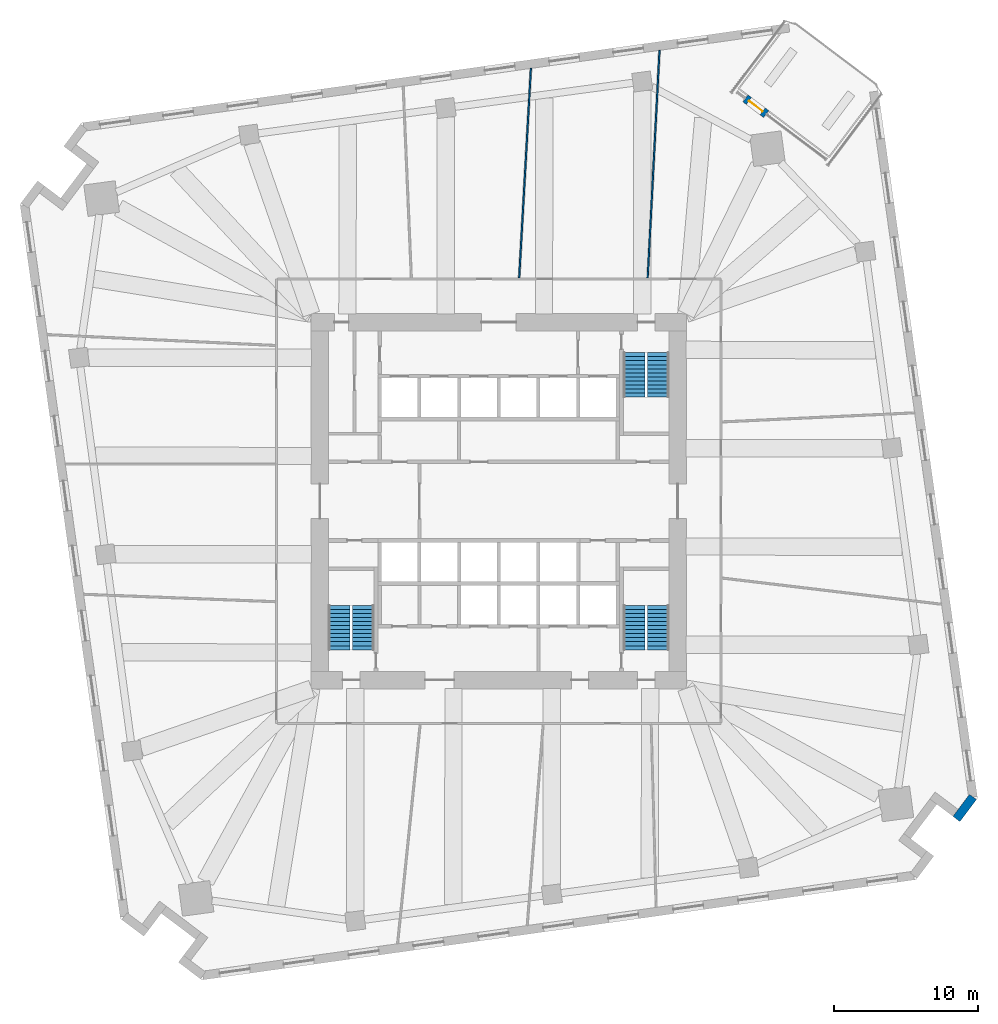
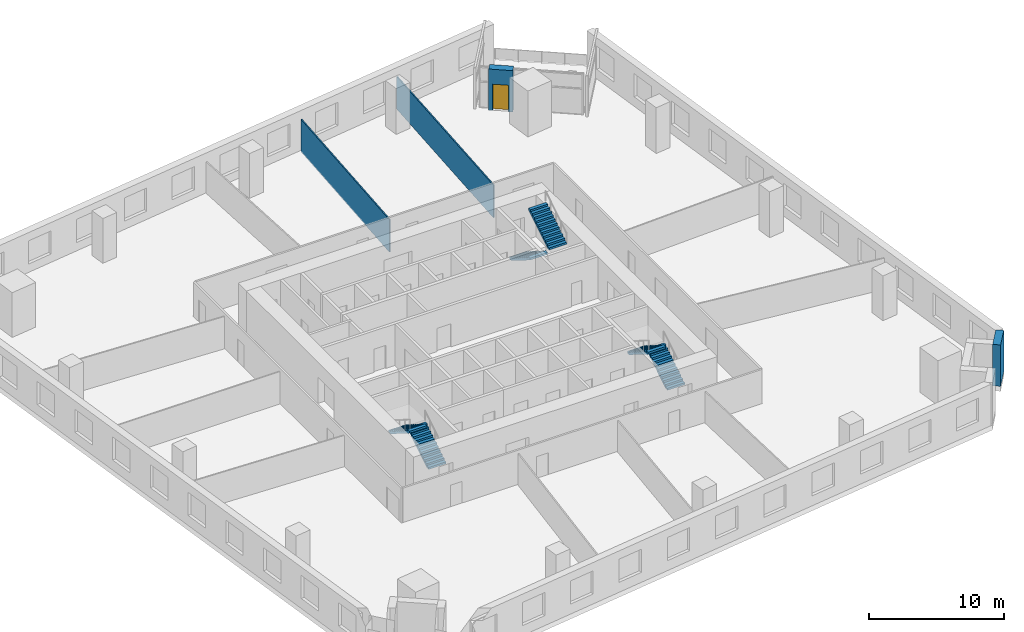
# One storey, part 10 of 12: 6 stair flights, 4 walls, 1 door, 1 opening, 3 elements without a shape of their own.
"""IFC4 building model written with IfcOpenShell, lengths in metres."""

from ifc_helpers import new_model, si_unit, direction, frame, frame_2d, origin, place, context, subcontext, project, spatial, polyline, rectangle, outline, extrude, material, layer, layer_set, type_object, element, fill, aggregate, save


model = new_model("IFC4")

# Units and contexts
model_context = context("Model", 3, precision=1e-05, world=origin(), true_north=direction((0.0, 1.0)))
body_context = subcontext(model_context, "Body", "Model", "MODEL_VIEW")
ifc_project = project(units=[si_unit("LENGTHUNIT", "METRE"), si_unit("AREAUNIT", "SQUARE_METRE"), si_unit("VOLUMEUNIT", "CUBIC_METRE"), si_unit("PLANEANGLEUNIT", "RADIAN"), si_unit("MASSUNIT", "GRAM", prefix="KILO")], contexts=[model_context])

# Site, building, storey
site_placement = place(None, origin())
site = spatial("IfcSite", under=ifc_project, at=site_placement, CompositionType="ELEMENT")
building_placement = place(site_placement, origin())
building = spatial("IfcBuilding", under=site, at=building_placement, Name="Dilmun Exchange Tower", CompositionType="ELEMENT")
storey_placement = place(building_placement, frame((0.0, 0.0, 51.300048828125)))
storey = spatial("IfcBuildingStorey", under=building, at=storey_placement, Name="L11", CompositionType="ELEMENT", Elevation=51.300048828125)

# Walls
ifc_material_1 = material(Name="Partition 100")
ifc_layer_1 = layer(ifc_material_1, 0.10009765625)
ifc_layer_set_1 = layer_set([ifc_layer_1], Name="Partition 100")
wall_type_1 = type_object("IfcWallType", Name="Partition 100", PredefinedType="PARTITIONING", material=ifc_layer_set_1)
wall_1_placement = place(storey_placement, frame((1.413330078125, 15.477783203125, 0.0), z_axis=(0.0, 0.0, 1.0), x_axis=(0.05597852546, 0.998431972989, 0.0)))
element("IfcWall", 1, at=wall_1_placement, inside=storey, type_object=wall_type_1, Name="Partition", PredefinedType="PARTITIONING", context=body_context, shape_type="SweptSolid", body=[
    extrude(rectangle(XDim=14.544921875, YDim=0.10009765625, at=frame_2d((7.2724609375, 0.0))), origin(), (0.0, 0.0, 1.0), 2.949951171875),
])
wall_2_placement = place(storey_placement, frame((10.322021484375, 15.4775390625, 0.0), z_axis=(0.0, 0.0, 1.0), x_axis=(0.05191473279, 0.998651521062, 0.0)))
element("IfcWall", 2, at=wall_2_placement, inside=storey, type_object=wall_type_1, Name="Partition", PredefinedType="PARTITIONING", context=body_context, shape_type="SweptSolid", body=[
    extrude(rectangle(XDim=15.79638671875, YDim=0.10009765625, at=frame_2d((7.898193359375, 0.0))), origin(), (0.0, 0.0, 1.0), 2.949951171875),
])
ifc_material_2 = material(Name="Precast concrete C50/60", Category="concrete")
ifc_layer_2 = layer(ifc_material_2, 0.60009765625)
ifc_layer_set_2 = layer_set([ifc_layer_2], Name="Precast concrete C50/60")
wall_type_2 = type_object("IfcWallType", Name="Precast stone-clad wall 600", PredefinedType="STANDARD", material=ifc_layer_set_2)
wall_3_placement = place(storey_placement, frame((31.722900390625, -22.026611328125, 0.0), z_axis=(0.0, 0.0, 1.0), x_axis=(0.601797104511, 0.798649012397, 0.0)))
element("IfcWall", 3, at=wall_3_placement, inside=storey, type_object=wall_type_2, Name="Facade wall L11-20", PredefinedType="STANDARD", context=body_context, shape_type="SweptSolid", body=[
    extrude(rectangle(XDim=1.9111328125, YDim=0.60009765625, at=frame_2d((0.95556640625, 0.0))), origin(), (0.0, 0.0, 1.0), 3.75),
])

# Wall, opening, door
wall_4_placement = place(storey_placement, frame((18.535400390625, 26.8408203125, 0.0), z_axis=(0.0, 0.0, 1.0), x_axis=(-0.79869589423, 0.60173488227, 0.0)))
wall_4 = element("IfcWall", 4, at=wall_4_placement, inside=storey, type_object=wall_type_2, Name="Facade wall L11-01-D", PredefinedType="STANDARD", context=body_context, shape_type="SweptSolid", body=[
    extrude(rectangle(XDim=1.7998046875, YDim=0.60009765625, at=frame_2d((0.89990234375, 0.0))), origin(), (0.0, 0.0, 1.0), 3.75),
])
opening_placement = place(wall_4_placement, frame((0.300048828125, 0.0, 0.0)))
opening = element("IfcOpeningElement", 5, at=opening_placement, cuts=wall_4, Name="Opening GD-1", PredefinedType="OPENING", context=body_context, shape_type="SweptSolid", body=[
    extrude(rectangle(XDim=1.199951171875, YDim=2.39990234375, at=frame_2d((0.60009765625, 1.199951171875))), frame((0.0, 0.31005859375, 0.0), z_axis=(0.0, -1.0, 0.0), x_axis=(1.0, 0.0, 0.0)), (0.0, 0.0, 1.0), 0.6201171875),
])
ifc_material_3 = material(Name="Clear low-emissivity glass in aluminium frame", Category="aluminium")
door_type = type_object("IfcDoorType", Name="Glazed garden door 1200 x 2400", OperationType="SINGLE_SWING_LEFT", PredefinedType="DOOR", material=ifc_material_3)
door_placement = place(opening_placement, origin())
door = element("IfcDoor", 6, at=door_placement, inside=storey, type_object=door_type, Name="Garden terrace door", OperationType="SINGLE_SWING_LEFT", OverallHeight=2.39990234375, OverallWidth=1.199951171875, PredefinedType="DOOR", context=body_context, shape_type="SweptSolid", body=[
    extrude(rectangle(XDim=1.199951171875, YDim=2.39990234375, at=frame_2d((0.60009765625, 1.199951171875))), frame((0.0, 0.02490234375, 0.0), z_axis=(0.0, -1.0, 0.0), x_axis=(1.0, 0.0, 0.0)), (0.0, 0.0, 1.0), 0.050048828125),
])
fill(opening, door)

# Stair, stair flights
ifc_material_4 = material(Name="Concrete C40/50", Category="concrete")
stair_type = type_object("IfcStairType", Name="Exit stair 1500 half-turn", PredefinedType="HALF_TURN_STAIR", material=ifc_material_4)
stair_1_placement = place(storey_placement, origin())
stair_1 = element("IfcStair", 7, at=stair_1_placement, inside=storey, type_object=stair_type, Name="L11 Protected exit stair ST1", PredefinedType="HALF_TURN_STAIR")
stair_flight_type = type_object("IfcStairFlightType", Name="Exit stair flight 1500", PredefinedType="STRAIGHT", material=ifc_material_4)
stair_flight_1_placement = place(storey_placement, frame((9.39990234375, 10.300048828125, 0.0), z_axis=(0.0, 0.0, 1.0), x_axis=(0.0, -1.0, 0.0)))
stair_flight_1 = element("IfcStairFlight", 8, at=stair_flight_1_placement, type_object=stair_flight_type, Name="ST1 flight 1", NumberOfRisers=12, NumberOfTreads=11, PredefinedType="STRAIGHT", RiserHeight=0.175, TreadLength=0.28, context=body_context, shape_type="SweptSolid", body=[
    extrude(outline(polyline([(0.0, 0.0), (0.0, 0.175048828125), (0.280029296875, 0.175048828125), (0.280029296875, 0.35009765625), (0.56005859375, 0.35009765625), (0.56005859375, 0.52490234375), (0.840087890625, 0.52490234375), (0.840087890625, 0.699951171875), (1.1201171875, 0.699951171875), (1.1201171875, 0.875), (1.39990234375, 0.875), (1.39990234375, 1.050048828125), (1.679931640625, 1.050048828125), (1.679931640625, 1.22509765625), (1.9599609375, 1.22509765625), (1.9599609375, 1.39990234375), (2.239990234375, 1.39990234375), (2.239990234375, 1.574951171875), (2.52001953125, 1.574951171875), (2.52001953125, 1.75), (2.800048828125, 1.75), (2.800048828125, 1.925048828125), (3.080078125, 1.925048828125), (3.080078125, 2.10009765625), (3.080078125, 1.748291015625), (0.28271484375, 0.0), (0.0, 0.0)])), frame((0.0, 0.75, 0.0), z_axis=(0.0, -1.0, 0.0), x_axis=(1.0, 0.0, 0.0)), (0.0, 0.0, 1.0), 1.5),
])
stair_flight_2_placement = place(storey_placement, frame((11.050048828125, 7.219970703125, 2.099853515625), z_axis=(0.0, 0.0, 1.0), x_axis=(0.0, 1.0, 0.0)))
stair_flight_2 = element("IfcStairFlight", 9, at=stair_flight_2_placement, type_object=stair_flight_type, Name="ST1 flight 2", NumberOfRisers=12, NumberOfTreads=11, PredefinedType="STRAIGHT", RiserHeight=0.175, TreadLength=0.28, context=body_context, shape_type="SweptSolid", body=[
    extrude(outline(polyline([(0.0, 0.0), (0.0, 0.175048828125), (0.280029296875, 0.175048828125), (0.280029296875, 0.35009765625), (0.56005859375, 0.35009765625), (0.56005859375, 0.52490234375), (0.840087890625, 0.52490234375), (0.840087890625, 0.699951171875), (1.1201171875, 0.699951171875), (1.1201171875, 0.875), (1.39990234375, 0.875), (1.39990234375, 1.050048828125), (1.679931640625, 1.050048828125), (1.679931640625, 1.22509765625), (1.9599609375, 1.22509765625), (1.9599609375, 1.39990234375), (2.239990234375, 1.39990234375), (2.239990234375, 1.574951171875), (2.52001953125, 1.574951171875), (2.52001953125, 1.75), (2.800048828125, 1.75), (2.800048828125, 1.925048828125), (3.080078125, 1.925048828125), (3.080078125, 2.10009765625), (3.080078125, 1.748291015625), (0.28271484375, 0.0), (0.0, 0.0)])), frame((0.0, 0.75, 0.0), z_axis=(0.0, -1.0, 0.0), x_axis=(1.0, 0.0, 0.0)), (0.0, 0.0, 1.0), 1.5),
])
aggregate(stair_1, [stair_flight_1, stair_flight_2])

stair_2_placement = place(storey_placement, origin())
stair_2 = element("IfcStair", 10, at=stair_2_placement, inside=storey, type_object=stair_type, Name="L11 Protected exit stair ST2", PredefinedType="HALF_TURN_STAIR")
stair_flight_3_placement = place(storey_placement, frame((-9.39990234375, -10.300048828125, 0.0), z_axis=(0.0, 0.0, 1.0), x_axis=(0.0, 1.0, 0.0)))
stair_flight_3 = element("IfcStairFlight", 11, at=stair_flight_3_placement, type_object=stair_flight_type, Name="ST2 flight 1", NumberOfRisers=12, NumberOfTreads=11, PredefinedType="STRAIGHT", RiserHeight=0.175, TreadLength=0.28, context=body_context, shape_type="SweptSolid", body=[
    extrude(outline(polyline([(0.0, 0.0), (0.0, 0.175048828125), (0.280029296875, 0.175048828125), (0.280029296875, 0.35009765625), (0.56005859375, 0.35009765625), (0.56005859375, 0.52490234375), (0.840087890625, 0.52490234375), (0.840087890625, 0.699951171875), (1.1201171875, 0.699951171875), (1.1201171875, 0.875), (1.39990234375, 0.875), (1.39990234375, 1.050048828125), (1.679931640625, 1.050048828125), (1.679931640625, 1.22509765625), (1.9599609375, 1.22509765625), (1.9599609375, 1.39990234375), (2.239990234375, 1.39990234375), (2.239990234375, 1.574951171875), (2.52001953125, 1.574951171875), (2.52001953125, 1.75), (2.800048828125, 1.75), (2.800048828125, 1.925048828125), (3.080078125, 1.925048828125), (3.080078125, 2.10009765625), (3.080078125, 1.748291015625), (0.28271484375, 0.0), (0.0, 0.0)])), frame((0.0, 0.75, 0.0), z_axis=(0.0, -1.0, 0.0), x_axis=(1.0, 0.0, 0.0)), (0.0, 0.0, 1.0), 1.5),
])
stair_flight_4_placement = place(storey_placement, frame((-11.050048828125, -7.219970703125, 2.099853515625), z_axis=(0.0, 0.0, 1.0), x_axis=(0.0, -1.0, 0.0)))
stair_flight_4 = element("IfcStairFlight", 12, at=stair_flight_4_placement, type_object=stair_flight_type, Name="ST2 flight 2", NumberOfRisers=12, NumberOfTreads=11, PredefinedType="STRAIGHT", RiserHeight=0.175, TreadLength=0.28, context=body_context, shape_type="SweptSolid", body=[
    extrude(outline(polyline([(0.0, 0.0), (0.0, 0.175048828125), (0.280029296875, 0.175048828125), (0.280029296875, 0.35009765625), (0.56005859375, 0.35009765625), (0.56005859375, 0.52490234375), (0.840087890625, 0.52490234375), (0.840087890625, 0.699951171875), (1.1201171875, 0.699951171875), (1.1201171875, 0.875), (1.39990234375, 0.875), (1.39990234375, 1.050048828125), (1.679931640625, 1.050048828125), (1.679931640625, 1.22509765625), (1.9599609375, 1.22509765625), (1.9599609375, 1.39990234375), (2.239990234375, 1.39990234375), (2.239990234375, 1.574951171875), (2.52001953125, 1.574951171875), (2.52001953125, 1.75), (2.800048828125, 1.75), (2.800048828125, 1.925048828125), (3.080078125, 1.925048828125), (3.080078125, 2.10009765625), (3.080078125, 1.748291015625), (0.28271484375, 0.0), (0.0, 0.0)])), frame((0.0, 0.75, 0.0), z_axis=(0.0, -1.0, 0.0), x_axis=(1.0, 0.0, 0.0)), (0.0, 0.0, 1.0), 1.5),
])
aggregate(stair_2, [stair_flight_3, stair_flight_4])

stair_3_placement = place(storey_placement, origin())
stair_3 = element("IfcStair", 13, at=stair_3_placement, inside=storey, type_object=stair_type, Name="L11 Protected exit stair ST3", PredefinedType="HALF_TURN_STAIR")
stair_flight_5_placement = place(storey_placement, frame((11.050048828125, -10.300048828125, 0.0), z_axis=(0.0, 0.0, 1.0), x_axis=(0.0, 1.0, 0.0)))
stair_flight_5 = element("IfcStairFlight", 14, at=stair_flight_5_placement, type_object=stair_flight_type, Name="ST3 flight 1", NumberOfRisers=12, NumberOfTreads=11, PredefinedType="STRAIGHT", RiserHeight=0.175, TreadLength=0.28, context=body_context, shape_type="SweptSolid", body=[
    extrude(outline(polyline([(0.0, 0.0), (0.0, 0.175048828125), (0.280029296875, 0.175048828125), (0.280029296875, 0.35009765625), (0.56005859375, 0.35009765625), (0.56005859375, 0.52490234375), (0.840087890625, 0.52490234375), (0.840087890625, 0.699951171875), (1.1201171875, 0.699951171875), (1.1201171875, 0.875), (1.39990234375, 0.875), (1.39990234375, 1.050048828125), (1.679931640625, 1.050048828125), (1.679931640625, 1.22509765625), (1.9599609375, 1.22509765625), (1.9599609375, 1.39990234375), (2.239990234375, 1.39990234375), (2.239990234375, 1.574951171875), (2.52001953125, 1.574951171875), (2.52001953125, 1.75), (2.800048828125, 1.75), (2.800048828125, 1.925048828125), (3.080078125, 1.925048828125), (3.080078125, 2.10009765625), (3.080078125, 1.748291015625), (0.28271484375, 0.0), (0.0, 0.0)])), frame((0.0, 0.75, 0.0), z_axis=(0.0, -1.0, 0.0), x_axis=(1.0, 0.0, 0.0)), (0.0, 0.0, 1.0), 1.5),
])
stair_flight_6_placement = place(storey_placement, frame((9.39990234375, -7.219970703125, 2.099853515625), z_axis=(0.0, 0.0, 1.0), x_axis=(0.0, -1.0, 0.0)))
stair_flight_6 = element("IfcStairFlight", 15, at=stair_flight_6_placement, type_object=stair_flight_type, Name="ST3 flight 2", NumberOfRisers=12, NumberOfTreads=11, PredefinedType="STRAIGHT", RiserHeight=0.175, TreadLength=0.28, context=body_context, shape_type="SweptSolid", body=[
    extrude(outline(polyline([(0.0, 0.0), (0.0, 0.175048828125), (0.280029296875, 0.175048828125), (0.280029296875, 0.35009765625), (0.56005859375, 0.35009765625), (0.56005859375, 0.52490234375), (0.840087890625, 0.52490234375), (0.840087890625, 0.699951171875), (1.1201171875, 0.699951171875), (1.1201171875, 0.875), (1.39990234375, 0.875), (1.39990234375, 1.050048828125), (1.679931640625, 1.050048828125), (1.679931640625, 1.22509765625), (1.9599609375, 1.22509765625), (1.9599609375, 1.39990234375), (2.239990234375, 1.39990234375), (2.239990234375, 1.574951171875), (2.52001953125, 1.574951171875), (2.52001953125, 1.75), (2.800048828125, 1.75), (2.800048828125, 1.925048828125), (3.080078125, 1.925048828125), (3.080078125, 2.10009765625), (3.080078125, 1.748291015625), (0.28271484375, 0.0), (0.0, 0.0)])), frame((0.0, 0.75, 0.0), z_axis=(0.0, -1.0, 0.0), x_axis=(1.0, 0.0, 0.0)), (0.0, 0.0, 1.0), 1.5),
])
aggregate(stair_3, [stair_flight_5, stair_flight_6])

save(model, "model.ifc")
